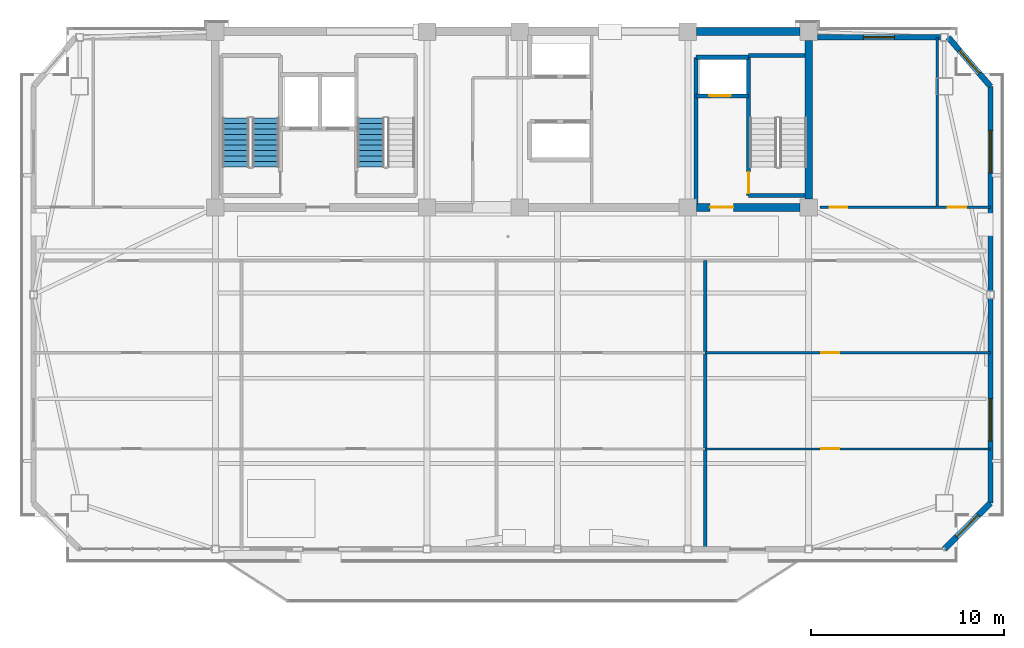
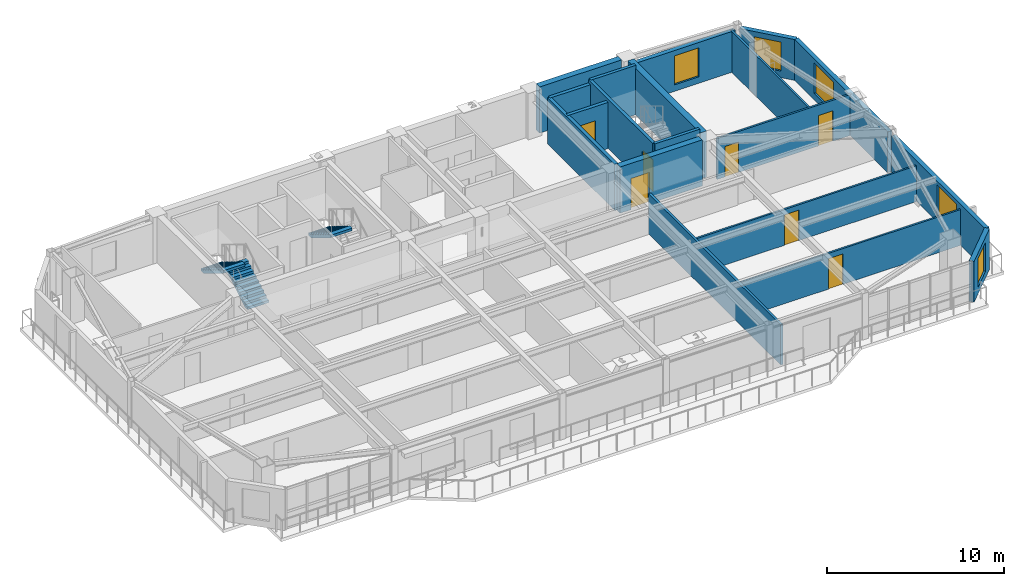
# One storey, part 8 of 13: 19 walls, 7 doors, 5 windows, 3 stair flights, 12 openings, 2 elements without a shape of their own.
"""IFC4 building model written with IfcOpenShell, lengths in metres."""

import ifcopenshell
import ifcopenshell.guid

model = None  # the IFC model being written
_history = None  # IfcOwnerHistory: only IFC2X3 demands one
_inside = {}  # id of a spatial element -> (the spatial element, [elements in it])
_under = {}  # id of a project, library or spatial element -> (it, [spatial elements below it])
_declared = {}  # id of a project -> (the project, [libraries it declares])
_typed = {}  # id of a type object -> (the type object, [elements of that type])
_made_of = {}  # id of a material, layer set ... -> (it, [elements and type objects made of it])


def new_model(schema):
    """Start an empty IFC model of exactly this schema.

    Asked for "IFC4X3", IfcOpenShell would pick the latest addendum, in which some entities
    have other attributes; the version numbers below select the first issue.
    IFC2X3 requires an IfcOwnerHistory on every rooted entity: one is made here for all.
    """
    global model, _history
    if schema == "IFC4X3":
        model = ifcopenshell.file(schema_version=(4, 3, 0, 0))
    else:
        model = ifcopenshell.file(schema=schema)
    _inside.clear()
    _under.clear()
    _declared.clear()
    _typed.clear()
    _made_of.clear()
    _history = None
    if model.schema == "IFC2X3":
        org = make("IfcOrganization", Name="unknown")
        user = make(
            "IfcPersonAndOrganization",
            ThePerson=make("IfcPerson", FamilyName="unknown"),
            TheOrganization=org,
        )
        app = make(
            "IfcApplication",
            ApplicationDeveloper=org,
            Version="unknown",
            ApplicationFullName="unknown",
            ApplicationIdentifier="unknown",
        )
        _history = make(
            "IfcOwnerHistory",
            OwningUser=user,
            OwningApplication=app,
            ChangeAction="ADDED",
            CreationDate=0,
        )
    return model


def make(cls, **values):
    """One entity of the class cls with the attributes given. An attribute that is None is left unset."""
    return model.create_entity(
        cls, **{name: value for name, value in values.items() if value is not None}
    )


def rooted(cls, **values):
    """An entity with a GlobalId (a new one), such as an element, a storey or a relation."""
    return make(cls, GlobalId=ifcopenshell.guid.new(), OwnerHistory=_history, **values)


def si_unit(unit_type, name, prefix=None):
    """IfcSIUnit, for example si_unit("LENGTHUNIT", "METRE", prefix="MILLI")."""
    return make("IfcSIUnit", UnitType=unit_type, Prefix=prefix, Name=name)


def assignment(units):
    """IfcUnitAssignment: the units of a project."""
    return None if units is None else make("IfcUnitAssignment", Units=units)


def point(xyz):
    """IfcCartesianPoint."""
    return None if xyz is None else make("IfcCartesianPoint", Coordinates=xyz)


def direction(xyz):
    """IfcDirection."""
    return None if xyz is None else make("IfcDirection", DirectionRatios=xyz)


def frame(location, z_axis=None, x_axis=None):
    """IfcAxis2Placement3D, a coordinate frame: its origin and axes. An axis left out is left unset."""
    return make(
        "IfcAxis2Placement3D",
        Location=point(location),
        Axis=direction(z_axis),
        RefDirection=direction(x_axis),
    )


def frame_2d(location, x_axis=None):
    """IfcAxis2Placement2D, a coordinate frame in the plane: its origin and x axis."""
    return make(
        "IfcAxis2Placement2D", Location=point(location), RefDirection=direction(x_axis)
    )


def origin():
    """The frame at (0, 0, 0) with its axes left unset."""
    return frame((0.0, 0.0, 0.0))


def place(relative_to, where):
    """IfcLocalPlacement: puts the frame where relative to a parent placement (None: the world)."""
    return make(
        "IfcLocalPlacement", PlacementRelTo=relative_to, RelativePlacement=where
    )


def context(
    kind, dimensions, precision=None, world=None, true_north=None, identifier=None
):
    """IfcGeometricRepresentationContext, for example the 3D "Model" context."""
    return make(
        "IfcGeometricRepresentationContext",
        ContextIdentifier=identifier,
        ContextType=kind,
        CoordinateSpaceDimension=dimensions,
        Precision=precision,
        WorldCoordinateSystem=world,
        TrueNorth=true_north,
    )


def subcontext(parent, identifier, kind, view, scale=None):
    """IfcGeometricRepresentationSubContext, for example "Body" below "Model"."""
    return make(
        "IfcGeometricRepresentationSubContext",
        ContextIdentifier=identifier,
        ContextType=kind,
        ParentContext=parent,
        TargetScale=scale,
        TargetView=view,
    )


def project(units=None, contexts=None):
    """IfcProject with its units and contexts."""
    return rooted(
        "IfcProject",
        Name="project",
        RepresentationContexts=contexts,
        UnitsInContext=assignment(units),
    )


def spatial(cls, under=None, at=None, **own):
    """A site, building, storey or space (cls), placed at a placement, below another one or the project."""
    s = rooted(cls, ObjectPlacement=at, **own)
    if under is not None:
        _under.setdefault(under.id(), (under, []))[1].append(s)
    return s


def polyline(points):
    """IfcPolyline through the points."""
    return make("IfcPolyline", Points=[point(p) for p in points])


def profile(cls, at=None, kind="AREA", **sizes):
    """A parametric profile (cls). Its sizes go by their IFC names, for example OverallWidth=200.0."""
    return make(cls, ProfileType=kind, Position=at, **sizes)


def rectangle(**sizes):
    """IfcRectangleProfileDef."""
    return profile("IfcRectangleProfileDef", **sizes)


def outline(outer, holes=None, kind="AREA"):
    """IfcArbitraryClosedProfileDef: a profile drawn as a closed curve; with holes, ...WithVoids."""
    if holes is None:
        return make("IfcArbitraryClosedProfileDef", ProfileType=kind, OuterCurve=outer)
    return make(
        "IfcArbitraryProfileDefWithVoids",
        ProfileType=kind,
        OuterCurve=outer,
        InnerCurves=holes,
    )


def extrude(swept, where, along, depth):
    """IfcExtrudedAreaSolid: the profile swept, set in the frame where, extruded along a direction by depth."""
    return make(
        "IfcExtrudedAreaSolid",
        SweptArea=swept,
        Position=where,
        ExtrudedDirection=direction(along),
        Depth=depth,
    )


def shape(context_of_items, identifier, shape_type, items):
    """IfcShapeRepresentation: the items that make up one representation, for example the "Body"."""
    return make(
        "IfcShapeRepresentation",
        ContextOfItems=context_of_items,
        RepresentationIdentifier=identifier,
        RepresentationType=shape_type,
        Items=items,
    )


def source(mapping_origin, context_of_items, identifier, shape_type, items):
    """IfcRepresentationMap: a shape defined once, which mapped items show again and again."""
    return make(
        "IfcRepresentationMap",
        MappingOrigin=mapping_origin,
        MappedRepresentation=shape(context_of_items, identifier, shape_type, items),
    )


def transform(
    local_origin,
    x_axis=None,
    y_axis=None,
    z_axis=None,
    scale=None,
    scale2=None,
    scale3=None,
    uniform=True,
):
    """IfcCartesianTransformationOperator3D, or its non-uniform kind. x_axis, y_axis, z_axis: its Axis1, 2, 3."""
    if uniform:
        return make(
            "IfcCartesianTransformationOperator3D",
            Axis1=direction(x_axis),
            Axis2=direction(y_axis),
            LocalOrigin=point(local_origin),
            Scale=scale,
            Axis3=direction(z_axis),
        )
    return make(
        "IfcCartesianTransformationOperator3DnonUniform",
        Axis1=direction(x_axis),
        Axis2=direction(y_axis),
        LocalOrigin=point(local_origin),
        Scale=scale,
        Axis3=direction(z_axis),
        Scale2=scale2,
        Scale3=scale3,
    )


def mapped(mapping_source, mapping_target):
    """IfcMappedItem: shows the shape of a source again, moved by a transform."""
    return make(
        "IfcMappedItem", MappingSource=mapping_source, MappingTarget=mapping_target
    )


def material(Name=None, Category=None):
    """IfcMaterial."""
    return make("IfcMaterial", Name=Name, Category=Category)


def layer(
    of_material, thickness, ventilated=None, Name=None, Category=None, Priority=None
):
    """IfcMaterialLayer: one layer of a wall or slab, of a material (None: an air gap)."""
    return make(
        "IfcMaterialLayer",
        Material=of_material,
        LayerThickness=thickness,
        IsVentilated=ventilated,
        Name=Name,
        Category=Category,
        Priority=Priority,
    )


def layer_set(layers, Name=None):
    """IfcMaterialLayerSet."""
    return make("IfcMaterialLayerSet", MaterialLayers=layers, LayerSetName=Name)


def made_of(thing, what):
    """Note that an element or type object is made of a material, layer set ...; save() writes the relation."""
    if what is not None:
        _made_of.setdefault(what.id(), (what, []))[1].append(thing)
    return thing


def type_object(cls, material=None, **own):
    """A type object (cls), such as IfcWallType, which elements share."""
    return made_of(rooted(cls, **own), material)


def element(
    cls,
    number,
    at=None,
    inside=None,
    cuts=None,
    type_object=None,
    material=None,
    context=None,
    identifier="Body",
    shape_type=None,
    held_by="IfcProductDefinitionShape",
    body=None,
    shapes=None,
    **own,
):
    """One element of the class cls, such as IfcWall. Its Tag is "e" and its number.

    at: its placement. inside: the storey or other place that contains it. cuts: it is an
    opening in that element (IfcRelVoidsElement). A single representation is given by context,
    identifier, shape_type and body (its items); several are given by shapes. held_by: the class
    of the entity that holds the representations. save() writes the other relations.
    """
    e = rooted(cls, Tag="e%d" % number, ObjectPlacement=at, **own)
    if body is not None:
        shapes = [shape(context, identifier, shape_type, body)]
    if shapes is not None:
        e.Representation = make(held_by, Representations=shapes)
    if inside is not None:
        _inside.setdefault(inside.id(), (inside, []))[1].append(e)
    if cuts is not None:
        rooted(
            "IfcRelVoidsElement", RelatingBuildingElement=cuts, RelatedOpeningElement=e
        )
    if type_object is not None:
        _typed.setdefault(type_object.id(), (type_object, []))[1].append(e)
    return made_of(e, material)


def fill(opening, filler):
    """IfcRelFillsElement: the door or window that sits in an opening."""
    return rooted(
        "IfcRelFillsElement",
        RelatingOpeningElement=opening,
        RelatedBuildingElement=filler,
    )


def aggregate(whole, parts):
    """IfcRelAggregates: a whole, such as a stair, and the parts it consists of."""
    return rooted("IfcRelAggregates", RelatingObject=whole, RelatedObjects=parts)


def save(model, path):
    """Write the relations noted so far, then the file.

    IfcRelAggregates (storeys below a building ...), IfcRelContainedInSpatialStructure (elements
    in a storey), IfcRelDefinesByType, IfcRelAssociatesMaterial and IfcRelDeclares: one each for
    every whole, place, type object, material and project.
    """
    for whole, parts in _under.values():
        aggregate(whole, parts)
    for where, things in _inside.values():
        rooted(
            "IfcRelContainedInSpatialStructure",
            RelatedElements=things,
            RelatingStructure=where,
        )
    for kind, things in _typed.values():
        rooted("IfcRelDefinesByType", RelatedObjects=things, RelatingType=kind)
    for what, things in _made_of.values():
        rooted("IfcRelAssociatesMaterial", RelatedObjects=things, RelatingMaterial=what)
    for by, libraries in _declared.values():
        rooted("IfcRelDeclares", RelatingContext=by, RelatedDefinitions=libraries)
    model.write(path)


model = new_model("IFC4")

# Units and contexts
model_context = context("Model", 3, precision=1e-05, world=origin(), true_north=direction((0.0, 1.0)))
body_context = subcontext(model_context, "Body", "Model", "MODEL_VIEW")
ifc_project = project(units=[si_unit("LENGTHUNIT", "METRE"), si_unit("AREAUNIT", "SQUARE_METRE"), si_unit("VOLUMEUNIT", "CUBIC_METRE"), si_unit("PLANEANGLEUNIT", "RADIAN"), si_unit("MASSUNIT", "GRAM", prefix="KILO")], contexts=[model_context])

# Site, building, storey
site_placement = place(None, origin())
site = spatial("IfcSite", under=ifc_project, at=site_placement, CompositionType="ELEMENT")
building_placement = place(site_placement, origin())
building = spatial("IfcBuilding", under=site, at=building_placement, Name="Giltprow Tower", CompositionType="ELEMENT")
storey_placement = place(building_placement, frame((0.0, 0.0, 307.39990234375)))
storey = spatial("IfcBuildingStorey", under=building, at=storey_placement, Name="L79", CompositionType="ELEMENT", Elevation=307.39990234375)

# Wall, opening, window
ifc_material_1 = material(Name="Precast concrete C40", Category="concrete")
ifc_layer_1 = layer(ifc_material_1, 0.300048828125, Name="Precast concrete C40")
ifc_layer_set_1 = layer_set([ifc_layer_1], Name="Precast concrete C40")
wall_type_1 = type_object("IfcWallType", Name="EW-NOTCH-CHAMFER-300", PredefinedType="SOLIDWALL", material=ifc_layer_set_1)
wall_1_placement = place(storey_placement, frame((57.574951171875, 19.77197265625, 0.0), z_axis=(0.0, 0.0, 1.0), x_axis=(0.707106781187, 0.707106781187, 0.0)))
wall_1 = element("IfcWall", 1, at=wall_1_placement, inside=storey, type_object=wall_type_1, Name="L79 Corner Notch Wall SE", PredefinedType="SOLIDWALL", context=body_context, shape_type="SweptSolid", body=[
    extrude(rectangle(XDim=3.372802734375, YDim=0.300048828125, at=frame_2d((1.6865234375, 0.0))), origin(), (0.0, 0.0, 1.0), 2.815185546875),
])
opening_1_placement = place(wall_1_placement, frame((0.885986328125, 0.0, 0.449951171875)))
opening_1 = element("IfcOpeningElement", 2, at=opening_1_placement, cuts=wall_1, Name="Opening WN17", PredefinedType="OPENING", context=body_context, shape_type="SweptSolid", body=[
    extrude(rectangle(XDim=1.60009765625, YDim=2.0, at=frame_2d((0.800048828125, 1.0))), frame((0.0, 0.159912109375, 0.0), z_axis=(0.0, -1.0, 0.0), x_axis=(1.0, 0.0, 0.0)), (0.0, 0.0, 1.0), 0.320068359375),
])
ifc_material_2 = material(Name="Insulated glass", Category="glass")
window_type_1 = type_object("IfcWindowType", Name="WN-COR-1600x2000", PartitioningType="SINGLE_PANEL", PredefinedType="WINDOW", material=ifc_material_2)
shared_shape_1 = source(origin(), body_context, "Body", "SweptSolid", [
    extrude(rectangle(XDim=1.60009765625, YDim=2.0, at=frame_2d((0.800048828125, 1.0))), frame((0.0, 0.030029296875, 0.0), z_axis=(0.0, -1.0, 0.0), x_axis=(1.0, 0.0, 0.0)), (0.0, 0.0, 1.0), 0.06005859375),
])
window_1_placement = place(opening_1_placement, origin())
window_1 = element("IfcWindow", 3, at=window_1_placement, inside=storey, type_object=window_type_1, Name="L79 Corner Notch Window SE", OverallHeight=2.0, OverallWidth=1.60009765625, PartitioningType="SINGLE_PANEL", PredefinedType="WINDOW", context=body_context, shape_type="MappedRepresentation", body=[
    mapped(shared_shape_1, transform((0.0, 0.0, 0.0), x_axis=(1.0, 0.0, 0.0), y_axis=(0.0, 1.0, 0.0), z_axis=(0.0, 0.0, 1.0), scale=1.0)),
])
fill(opening_1, window_1)

wall_2_placement = place(storey_placement, frame((59.9599609375, 43.715087890625, 0.0), z_axis=(0.0, 0.0, 1.0), x_axis=(-0.652903544361, 0.757441061576, 0.0)))
wall_2 = element("IfcWall", 4, at=wall_2_placement, inside=storey, type_object=wall_type_1, Name="L79 Corner Notch Wall NE", PredefinedType="SOLIDWALL", context=body_context, shape_type="SweptSolid", body=[
    extrude(rectangle(XDim=3.3466796875, YDim=0.300048828125, at=frame_2d((1.67333984375, 0.0))), origin(), (0.0, 0.0, 1.0), 2.815185546875),
])
opening_2_placement = place(wall_2_placement, frame((0.873046875, 0.0, 0.449951171875)))
opening_2 = element("IfcOpeningElement", 5, at=opening_2_placement, cuts=wall_2, Name="Opening WN17", PredefinedType="OPENING", context=body_context, shape_type="SweptSolid", body=[
    extrude(rectangle(XDim=1.60009765625, YDim=2.0, at=frame_2d((0.800048828125, 1.0))), frame((0.0, 0.159912109375, 0.0), z_axis=(0.0, -1.0, 0.0), x_axis=(1.0, 0.0, 0.0)), (0.0, 0.0, 1.0), 0.320068359375),
])
window_2_placement = place(opening_2_placement, origin())
window_2 = element("IfcWindow", 6, at=window_2_placement, inside=storey, type_object=window_type_1, Name="L79 Corner Notch Window NE", OverallHeight=2.0, OverallWidth=1.60009765625, PartitioningType="SINGLE_PANEL", PredefinedType="WINDOW", context=body_context, shape_type="MappedRepresentation", body=[
    mapped(shared_shape_1, transform((0.0, 0.0, 0.0), x_axis=(1.0, 0.0, 0.0), y_axis=(0.0, 1.0, 0.0), z_axis=(0.0, 0.0, 1.0), scale=1.0)),
])
fill(opening_2, window_2)

ifc_layer_2 = layer(ifc_material_1, 0.280029296875, Name="Precast concrete C40")
ifc_layer_set_2 = layer_set([ifc_layer_2], Name="Precast concrete C40")
wall_type_2 = type_object("IfcWallType", Name="EW-TOW-BRONZE-280", PredefinedType="SOLIDWALL", material=ifc_layer_set_2)
wall_3_placement = place(storey_placement, frame((59.9599609375, 22.156982421875, 0.0), z_axis=(0.0, 0.0, 1.0), x_axis=(0.0, 1.0, 0.0)))
wall_3 = element("IfcWall", 7, at=wall_3_placement, inside=storey, type_object=wall_type_2, Name="L79 E Wing Masonry Wall 1", PredefinedType="SOLIDWALL", context=body_context, shape_type="SweptSolid", body=[
    extrude(rectangle(XDim=10.5791015625, YDim=0.280029296875, at=frame_2d((5.28955078125, 0.0))), origin(), (0.0, 0.0, 1.0), 2.815185546875),
])
opening_3_placement = place(wall_3_placement, frame((3.195068359375, 0.0, 0.449951171875)))
opening_3 = element("IfcOpeningElement", 8, at=opening_3_placement, cuts=wall_3, Name="Opening WN27", PredefinedType="OPENING", context=body_context, shape_type="SweptSolid", body=[
    extrude(rectangle(XDim=2.199951171875, YDim=2.10009765625, at=frame_2d((1.10009765625, 1.050048828125))), frame((0.0, 0.14990234375, 0.0), z_axis=(0.0, -1.0, 0.0), x_axis=(1.0, 0.0, 0.0)), (0.0, 0.0, 1.0), 0.300048828125),
])
window_type_2 = type_object("IfcWindowType", Name="WN-RES-2200x2100", PartitioningType="TRIPLE_PANEL_VERTICAL", PredefinedType="WINDOW", material=ifc_material_2)
shared_shape_2 = source(origin(), body_context, "Body", "SweptSolid", [
    extrude(rectangle(XDim=2.199951171875, YDim=2.10009765625, at=frame_2d((1.10009765625, 1.050048828125))), frame((0.0, 0.030029296875, 0.0), z_axis=(0.0, -1.0, 0.0), x_axis=(1.0, 0.0, 0.0)), (0.0, 0.0, 1.0), 0.06005859375),
])
window_3_placement = place(opening_3_placement, origin())
window_3 = element("IfcWindow", 9, at=window_3_placement, inside=storey, type_object=window_type_2, Name="L79 E Wing Window 1-1", OverallHeight=2.10009765625, OverallWidth=2.199951171875, PartitioningType="SINGLE_PANEL", PredefinedType="WINDOW", context=body_context, shape_type="MappedRepresentation", body=[
    mapped(shared_shape_2, transform((0.0, 0.0, 0.0), x_axis=(1.0, 0.0, 0.0), y_axis=(0.0, 1.0, 0.0), z_axis=(0.0, 0.0, 1.0), scale=1.0)),
])
fill(opening_3, window_3)

wall_4_placement = place(storey_placement, frame((59.9599609375, 33.135986328125, 0.0), z_axis=(0.0, 0.0, 1.0), x_axis=(0.0, 1.0, 0.0)))
wall_4 = element("IfcWall", 10, at=wall_4_placement, inside=storey, type_object=wall_type_2, Name="L79 E Wing Masonry Wall 2", PredefinedType="SOLIDWALL", context=body_context, shape_type="SweptSolid", body=[
    extrude(rectangle(XDim=10.5791015625, YDim=0.280029296875, at=frame_2d((5.28955078125, 0.0))), origin(), (0.0, 0.0, 1.0), 2.815185546875),
])
opening_4_placement = place(wall_4_placement, frame((6.10205078125, 0.0, 0.449951171875)))
opening_4 = element("IfcOpeningElement", 11, at=opening_4_placement, cuts=wall_4, Name="Opening WN27", PredefinedType="OPENING", context=body_context, shape_type="SweptSolid", body=[
    extrude(rectangle(XDim=2.199951171875, YDim=2.10009765625, at=frame_2d((1.10009765625, 1.050048828125))), frame((0.0, 0.14990234375, 0.0), z_axis=(0.0, -1.0, 0.0), x_axis=(1.0, 0.0, 0.0)), (0.0, 0.0, 1.0), 0.300048828125),
])
window_4_placement = place(opening_4_placement, origin())
window_4 = element("IfcWindow", 12, at=window_4_placement, inside=storey, type_object=window_type_2, Name="L79 E Wing Window 2-1", OverallHeight=2.10009765625, OverallWidth=2.199951171875, PartitioningType="SINGLE_PANEL", PredefinedType="WINDOW", context=body_context, shape_type="MappedRepresentation", body=[
    mapped(shared_shape_2, transform((0.0, 0.0, 0.0), x_axis=(1.0, 0.0, 0.0), y_axis=(0.0, 1.0, 0.0), z_axis=(0.0, 0.0, 1.0), scale=1.0)),
])
fill(opening_4, window_4)

wall_5_placement = place(storey_placement, frame((51.0, 46.25, 0.0), z_axis=(0.0, 0.0, 1.0), x_axis=(1.0, 0.0, 0.0)))
wall_5 = element("IfcWall", 13, at=wall_5_placement, inside=storey, type_object=wall_type_2, Name="L79 North-East Wing Wall", PredefinedType="SOLIDWALL", context=body_context, shape_type="SweptSolid", body=[
    extrude(rectangle(XDim=6.375, YDim=0.280029296875, at=frame_2d((3.1875, 0.0))), origin(), (0.0, 0.0, 1.0), 2.815185546875),
])
opening_5_placement = place(wall_5_placement, frame((2.387939453125, 0.0, 0.449951171875)))
opening_5 = element("IfcOpeningElement", 14, at=opening_5_placement, cuts=wall_5, Name="Opening WN17", PredefinedType="OPENING", context=body_context, shape_type="SweptSolid", body=[
    extrude(rectangle(XDim=1.60009765625, YDim=2.0, at=frame_2d((0.800048828125, 1.0))), frame((0.0, 0.14990234375, 0.0), z_axis=(0.0, -1.0, 0.0), x_axis=(1.0, 0.0, 0.0)), (0.0, 0.0, 1.0), 0.300048828125),
])
window_5_placement = place(opening_5_placement, origin())
window_5 = element("IfcWindow", 15, at=window_5_placement, inside=storey, type_object=window_type_1, Name="L79 North-East Window", OverallHeight=2.0, OverallWidth=1.60009765625, PartitioningType="SINGLE_PANEL", PredefinedType="WINDOW", context=body_context, shape_type="MappedRepresentation", body=[
    mapped(shared_shape_1, transform((0.0, 0.0, 0.0), x_axis=(1.0, 0.0, 0.0), y_axis=(0.0, 1.0, 0.0), z_axis=(0.0, 0.0, 1.0), scale=1.0)),
])
fill(opening_5, window_5)

# Wall
ifc_material_3 = material(Name="Gypsum stud partition", Category="gypsum")
ifc_layer_3 = layer(ifc_material_3, 0.159912109375, Name="Gypsum stud partition")
ifc_layer_set_3 = layer_set([ifc_layer_3], Name="Gypsum stud partition")
wall_type_3 = type_object("IfcWallType", Name="IW-DEMISE-160", PredefinedType="PARTITIONING", material=ifc_layer_set_3)
wall_6_placement = place(storey_placement, frame((45.199951171875, 19.77197265625, 0.0), z_axis=(0.0, 0.0, 1.0), x_axis=(0.0, 1.0, 0.0)))
element("IfcWall", 16, at=wall_6_placement, inside=storey, type_object=wall_type_3, Name="L79 Apartment Party Wall 3", PredefinedType="PARTITIONING", context=body_context, shape_type="SweptSolid", body=[
    extrude(rectangle(XDim=14.927978515625, YDim=0.159912109375, at=frame_2d((7.4638671875, 0.0))), origin(), (0.0, 0.0, 1.0), 2.77001953125),
])

# Wall, opening, door
ifc_layer_4 = layer(ifc_material_3, 0.1201171875, Name="Gypsum stud partition")
ifc_layer_set_4 = layer_set([ifc_layer_4], Name="Gypsum stud partition")
wall_type_4 = type_object("IfcWallType", Name="IW-ROOM-120", PredefinedType="PARTITIONING", material=ifc_layer_set_4)
wall_7_placement = place(storey_placement, frame((45.199951171875, 24.951904296875, 0.0), z_axis=(0.0, 0.0, 1.0), x_axis=(1.0, 0.0, 0.0)))
wall_7 = element("IfcWall", 17, at=wall_7_placement, inside=storey, type_object=wall_type_4, Name="L79 Special Split 1", PredefinedType="PARTITIONING", context=body_context, shape_type="SweptSolid", body=[
    extrude(rectangle(XDim=14.760009765625, YDim=0.1201171875, at=frame_2d((7.3798828125, 0.0))), origin(), (0.0, 0.0, 1.0), 2.47021484375),
])
opening_6_placement = place(wall_7_placement, frame((5.989990234375, 0.0, 0.0)))
opening_6 = element("IfcOpeningElement", 18, at=opening_6_placement, cuts=wall_7, Name="Opening ID11", PredefinedType="OPENING", context=body_context, shape_type="SweptSolid", body=[
    extrude(rectangle(XDim=0.949951171875, YDim=2.10009765625, at=frame_2d((0.47509765625, 1.050048828125))), frame((0.0, 0.070068359375, 0.0), z_axis=(0.0, -1.0, 0.0), x_axis=(1.0, 0.0, 0.0)), (0.0, 0.0, 1.0), 0.14013671875),
])
ifc_material_4 = material(Name="Engineered timber", Category="wood")
door_type_1 = type_object("IfcDoorType", Name="DR-ROOM-950", OperationType="SINGLE_SWING_RIGHT", PredefinedType="DOOR", material=ifc_material_4)
shared_shape_3 = source(origin(), body_context, "Body", "SweptSolid", [
    extrude(rectangle(XDim=0.949951171875, YDim=2.10009765625, at=frame_2d((0.47509765625, 1.050048828125))), frame((0.0, 0.02490234375, 0.0), z_axis=(0.0, -1.0, 0.0), x_axis=(1.0, 0.0, 0.0)), (0.0, 0.0, 1.0), 0.050048828125),
])
door_1_placement = place(opening_6_placement, origin())
door_1 = element("IfcDoor", 19, at=door_1_placement, inside=storey, type_object=door_type_1, Name="L79 Boutique Florist Shop South Door", OperationType="SINGLE_SWING_LEFT", OverallHeight=2.10009765625, OverallWidth=0.949951171875, PredefinedType="DOOR", context=body_context, shape_type="MappedRepresentation", body=[
    mapped(shared_shape_3, transform((0.0, 0.0, 0.0), x_axis=(1.0, 0.0, 0.0), y_axis=(0.0, 1.0, 0.0), z_axis=(0.0, 0.0, 1.0), scale=1.0)),
])
fill(opening_6, door_1)

wall_8_placement = place(storey_placement, frame((45.199951171875, 29.93310546875, 0.0), z_axis=(0.0, 0.0, 1.0), x_axis=(1.0, 0.0, 0.0)))
wall_8 = element("IfcWall", 20, at=wall_8_placement, inside=storey, type_object=wall_type_4, Name="L79 Special Split 2", PredefinedType="PARTITIONING", context=body_context, shape_type="SweptSolid", body=[
    extrude(rectangle(XDim=14.760009765625, YDim=0.1201171875, at=frame_2d((7.3798828125, 0.0))), origin(), (0.0, 0.0, 1.0), 2.47021484375),
])
opening_7_placement = place(wall_8_placement, frame((5.989990234375, 0.0, 0.0)))
opening_7 = element("IfcOpeningElement", 21, at=opening_7_placement, cuts=wall_8, Name="Opening ID11", PredefinedType="OPENING", context=body_context, shape_type="SweptSolid", body=[
    extrude(rectangle(XDim=0.949951171875, YDim=2.10009765625, at=frame_2d((0.47509765625, 1.050048828125))), frame((0.0, 0.070068359375, 0.0), z_axis=(0.0, -1.0, 0.0), x_axis=(1.0, 0.0, 0.0)), (0.0, 0.0, 1.0), 0.14013671875),
])
door_2_placement = place(opening_7_placement, origin())
door_2 = element("IfcDoor", 22, at=door_2_placement, inside=storey, type_object=door_type_1, Name="L79 Boutique Florist Shop Mid Door", OperationType="SINGLE_SWING_RIGHT", OverallHeight=2.10009765625, OverallWidth=0.949951171875, PredefinedType="DOOR", context=body_context, shape_type="MappedRepresentation", body=[
    mapped(shared_shape_3, transform((0.0, 0.0, 0.0), x_axis=(1.0, 0.0, 0.0), y_axis=(0.0, 1.0, 0.0), z_axis=(0.0, 0.0, 1.0), scale=1.0)),
])
fill(opening_7, door_2)

ifc_material_5 = material(Name="Concrete C40", Category="concrete")
ifc_layer_5 = layer(ifc_material_5, 0.219970703125, Name="Concrete C40")
ifc_layer_set_5 = layer_set([ifc_layer_5], Name="Concrete C40")
wall_type_5 = type_object("IfcWallType", Name="IW-SHAFT-220", PredefinedType="SOLIDWALL", material=ifc_layer_set_5)
wall_9_placement = place(storey_placement, frame((44.719970703125, 43.219970703125, 0.0), z_axis=(0.0, 0.0, 1.0), x_axis=(1.0, 0.0, 0.0)))
wall_9 = element("IfcWall", 23, at=wall_9_placement, inside=storey, type_object=wall_type_5, Name="L79 FFL2 Front Shaft Wall", PredefinedType="SOLIDWALL", context=body_context, shape_type="SweptSolid", body=[
    extrude(rectangle(XDim=2.719970703125, YDim=0.219970703125, at=frame_2d((1.35986328125, 0.0))), origin(), (0.0, 0.0, 1.0), 3.18505859375),
])
opening_8_placement = place(wall_9_placement, frame((0.699951171875, 0.0, 0.0)))
opening_8 = element("IfcOpeningElement", 24, at=opening_8_placement, cuts=wall_9, Name="Opening LD-11", PredefinedType="OPENING", context=body_context, shape_type="SweptSolid", body=[
    extrude(rectangle(XDim=1.10009765625, YDim=2.199951171875, at=frame_2d((0.550048828125, 1.10009765625))), frame((0.0, 0.119873046875, 0.0), z_axis=(0.0, -1.0, 0.0), x_axis=(1.0, 0.0, 0.0)), (0.0, 0.0, 1.0), 0.239990234375),
])
ifc_material_6 = material(Name="Stainless steel", Category="steel")
door_type_2 = type_object("IfcDoorType", Name="DR-LIFT-LD1100", OperationType="SLIDING_TO_LEFT", PredefinedType="DOOR", material=ifc_material_6)
shared_shape_4 = source(origin(), body_context, "Body", "SweptSolid", [
    extrude(rectangle(XDim=1.10009765625, YDim=2.199951171875, at=frame_2d((0.550048828125, 1.10009765625))), frame((0.0, 0.02490234375, 0.0), z_axis=(0.0, -1.0, 0.0), x_axis=(1.0, 0.0, 0.0)), (0.0, 0.0, 1.0), 0.050048828125),
])
door_3_placement = place(opening_8_placement, origin())
door_3 = element("IfcDoor", 25, at=door_3_placement, inside=storey, type_object=door_type_2, Name="L79 FFL2 Landing Door", OperationType="SLIDING_TO_LEFT", OverallHeight=2.199951171875, OverallWidth=1.10009765625, PredefinedType="DOOR", context=body_context, shape_type="MappedRepresentation", body=[
    mapped(shared_shape_4, transform((0.0, 0.0, 0.0), x_axis=(1.0, 0.0, 0.0), y_axis=(0.0, 1.0, 0.0), z_axis=(0.0, 0.0, 1.0), scale=1.0)),
])
fill(opening_8, door_3)

# Walls
wall_10_placement = place(storey_placement, frame((44.719970703125, 45.219970703125, 0.0), z_axis=(0.0, 0.0, 1.0), x_axis=(1.0, 0.0, 0.0)))
element("IfcWall", 26, at=wall_10_placement, inside=storey, type_object=wall_type_5, Name="L79 FFL2 Back Shaft Wall", PredefinedType="SOLIDWALL", context=body_context, shape_type="SweptSolid", body=[
    extrude(rectangle(XDim=2.719970703125, YDim=0.219970703125, at=frame_2d((1.35986328125, 0.0))), origin(), (0.0, 0.0, 1.0), 3.18505859375),
])
wall_11_placement = place(storey_placement, frame((44.719970703125, 37.6298828125, 0.0), z_axis=(0.0, 0.0, 1.0), x_axis=(0.0, 1.0, 0.0)))
element("IfcWall", 27, at=wall_11_placement, inside=storey, type_object=wall_type_5, Name="L79 East Firefighting Lobby West Wall", PredefinedType="SOLIDWALL", context=body_context, shape_type="SweptSolid", body=[
    extrude(rectangle(XDim=7.590087890625, YDim=0.219970703125, at=frame_2d((3.794921875, 0.0))), origin(), (0.0, 0.0, 1.0), 3.18505859375),
])

# Wall, opening, door
ifc_layer_6 = layer(ifc_material_5, 0.199951171875, Name="Concrete C40")
ifc_layer_set_6 = layer_set([ifc_layer_6], Name="Concrete C40")
wall_type_6 = type_object("IfcWallType", Name="IW-STAIR-200", PredefinedType="SOLIDWALL", material=ifc_layer_set_6)
wall_12_placement = place(storey_placement, frame((47.43994140625, 38.070068359375, 0.0), z_axis=(0.0, 0.0, 1.0), x_axis=(0.0, 1.0, 0.0)))
wall_12 = element("IfcWall", 28, at=wall_12_placement, inside=storey, type_object=wall_type_6, Name="L79 Stair ST-3 West Bearing Wall", PredefinedType="SOLIDWALL", context=body_context, shape_type="SweptSolid", body=[
    extrude(rectangle(XDim=7.25, YDim=0.199951171875, at=frame_2d((3.625, 0.0))), origin(), (0.0, 0.0, 1.0), 3.400146484375),
])
opening_9_placement = place(wall_12_placement, frame((0.110107421875, 0.0, 0.0)))
opening_9 = element("IfcOpeningElement", 29, at=opening_9_placement, cuts=wall_12, Name="Opening ID33", PredefinedType="OPENING", context=body_context, shape_type="SweptSolid", body=[
    extrude(rectangle(XDim=1.10009765625, YDim=2.14990234375, at=frame_2d((0.550048828125, 1.074951171875))), frame((0.0, 0.10986328125, 0.0), z_axis=(0.0, -1.0, 0.0), x_axis=(1.0, 0.0, 0.0)), (0.0, 0.0, 1.0), 0.219970703125),
])
ifc_material_7 = material(Name="Steel fire leaf", Category="steel")
door_type_3 = type_object("IfcDoorType", Name="DR-STAIR-1100", OperationType="SINGLE_SWING_LEFT", PredefinedType="DOOR", material=ifc_material_7)
shared_shape_5 = source(origin(), body_context, "Body", "SweptSolid", [
    extrude(rectangle(XDim=1.10009765625, YDim=2.14990234375, at=frame_2d((0.550048828125, 1.074951171875))), frame((0.0, 0.02490234375, 0.0), z_axis=(0.0, -1.0, 0.0), x_axis=(1.0, 0.0, 0.0)), (0.0, 0.0, 1.0), 0.050048828125),
])
door_4_placement = place(opening_9_placement, origin())
door_4 = element("IfcDoor", 30, at=door_4_placement, inside=storey, type_object=door_type_3, Name="L79 Stair ST-3 Fire Door", OperationType="SINGLE_SWING_LEFT", OverallHeight=2.14990234375, OverallWidth=1.10009765625, PredefinedType="DOOR", context=body_context, shape_type="MappedRepresentation", body=[
    mapped(shared_shape_5, transform((0.0, 0.0, 0.0), x_axis=(1.0, 0.0, 0.0), y_axis=(0.0, 1.0, 0.0), z_axis=(0.0, 0.0, 1.0), scale=1.0)),
])
fill(opening_9, door_4)

# Walls
for number, where, z_axis, x_axis, name in (
    (31, (47.43994140625, 45.320068359375, 0.0), (0.0, 0.0, 1.0), (1.0, 0.0, 0.0), "L79 Stair ST-3 North Bearing Wall"),
    (32, (47.43994140625, 38.070068359375, 0.0), (0.0, 0.0, 1.0), (1.0, 0.0, 0.0), "L79 Stair ST-3 South Bearing Wall"),
):
    element("IfcWall", number, at=place(storey_placement, frame(where, z_axis=z_axis, x_axis=x_axis)), inside=storey, type_object=wall_type_6, Name=name, PredefinedType="SOLIDWALL", context=body_context, shape_type="SweptSolid", body=[
        extrude(rectangle(XDim=2.93017578125, YDim=0.199951171875, at=frame_2d((1.465087890625, 0.0))), origin(), (0.0, 0.0, 1.0), 3.400146484375),
    ])

# Wall, openings, doors
ifc_material_8 = material(Name="Concrete C30", Category="concrete")
ifc_layer_7 = layer(ifc_material_8, 0.1298828125, Name="Concrete C30")
ifc_layer_set_7 = layer_set([ifc_layer_7], Name="Concrete C30")
wall_type_7 = type_object("IfcWallType", Name="IW-WET-130", PredefinedType="PARTITIONING", material=ifc_layer_set_7)
wall_13_placement = place(storey_placement, frame((51.14990234375, 37.449951171875, 0.0), z_axis=(0.0, 0.0, 1.0), x_axis=(1.0, 0.0, 0.0)))
wall_13 = element("IfcWall", 33, at=wall_13_placement, inside=storey, type_object=wall_type_7, Name="L79 NE Wing South Wall", PredefinedType="PARTITIONING", context=body_context, shape_type="SweptSolid", body=[
    extrude(rectangle(XDim=8.81005859375, YDim=0.1298828125, at=frame_2d((4.405029296875, 0.0))), origin(), (0.0, 0.0, 1.0), 2.820068359375),
])
opening_10_placement = place(wall_13_placement, frame((0.5, 0.0, 0.0)))
opening_10 = element("IfcOpeningElement", 34, at=opening_10_placement, cuts=wall_13, Name="Opening ID15", PredefinedType="OPENING", context=body_context, shape_type="SweptSolid", body=[
    extrude(rectangle(XDim=0.89990234375, YDim=2.10009765625, at=frame_2d((0.449951171875, 1.050048828125))), frame((0.0, 0.074951171875, 0.0), z_axis=(0.0, -1.0, 0.0), x_axis=(1.0, 0.0, 0.0)), (0.0, 0.0, 1.0), 0.14990234375),
])
opening_11_placement = place(wall_13_placement, frame((6.60693359375, 0.0, 0.0)))
opening_11 = element("IfcOpeningElement", 35, at=opening_11_placement, cuts=wall_13, Name="Opening ID11", PredefinedType="OPENING", context=body_context, shape_type="SweptSolid", body=[
    extrude(rectangle(XDim=0.949951171875, YDim=2.10009765625, at=frame_2d((0.47509765625, 1.050048828125))), frame((0.0, 0.074951171875, 0.0), z_axis=(0.0, -1.0, 0.0), x_axis=(1.0, 0.0, 0.0)), (0.0, 0.0, 1.0), 0.14990234375),
])
door_type_4 = type_object("IfcDoorType", Name="DR-WC-900", OperationType="SINGLE_SWING_LEFT", PredefinedType="DOOR", material=ifc_material_4)
shared_shape_6 = source(origin(), body_context, "Body", "SweptSolid", [
    extrude(rectangle(XDim=0.89990234375, YDim=2.10009765625, at=frame_2d((0.449951171875, 1.050048828125))), frame((0.0, 0.02490234375, 0.0), z_axis=(0.0, -1.0, 0.0), x_axis=(1.0, 0.0, 0.0)), (0.0, 0.0, 1.0), 0.050048828125),
])
door_5_placement = place(opening_10_placement, origin())
door_5 = element("IfcDoor", 36, at=door_5_placement, inside=storey, type_object=door_type_4, Name="L79 East Wing Washroom Door", OperationType="SINGLE_SWING_RIGHT", OverallHeight=2.10009765625, OverallWidth=0.89990234375, PredefinedType="DOOR", context=body_context, shape_type="MappedRepresentation", body=[
    mapped(shared_shape_6, transform((0.0, 0.0, 0.0), x_axis=(1.0, 0.0, 0.0), y_axis=(0.0, 1.0, 0.0), z_axis=(0.0, 0.0, 1.0), scale=1.0)),
])
fill(opening_10, door_5)
door_6_placement = place(opening_11_placement, origin())
door_6 = element("IfcDoor", 37, at=door_6_placement, inside=storey, type_object=door_type_1, Name="L79 Residents Reading Lounge Door", OperationType="SINGLE_SWING_LEFT", OverallHeight=2.10009765625, OverallWidth=0.949951171875, PredefinedType="DOOR", context=body_context, shape_type="MappedRepresentation", body=[
    mapped(shared_shape_3, transform((0.0, 0.0, 0.0), x_axis=(1.0, 0.0, 0.0), y_axis=(0.0, 1.0, 0.0), z_axis=(0.0, 0.0, 1.0), scale=1.0)),
])
fill(opening_11, door_6)

# Walls
wall_14_placement = place(storey_placement, frame((57.20703125, 37.449951171875, 0.0), z_axis=(0.0, 0.0, 1.0), x_axis=(0.0, 1.0, 0.0)))
element("IfcWall", 38, at=wall_14_placement, inside=storey, type_object=wall_type_7, Name="L79 NE Wing Divider", PredefinedType="PARTITIONING", context=body_context, shape_type="SweptSolid", body=[
    extrude(rectangle(XDim=8.800048828125, YDim=0.1298828125, at=frame_2d((4.39990234375, 0.0))), origin(), (0.0, 0.0, 1.0), 2.820068359375),
])
ifc_material_9 = material(Name="Concrete C45", Category="concrete")
ifc_layer_8 = layer(ifc_material_9, 0.39990234375, Name="Concrete C45")
ifc_layer_set_8 = layer_set([ifc_layer_8], Name="Concrete C45")
wall_type_8 = type_object("IfcWallType", Name="SW-EXT-400-C45", PredefinedType="SHEAR", material=ifc_layer_set_8)
wall_15_placement = place(storey_placement, frame((44.75, 46.550048828125, 0.0), z_axis=(0.0, 0.0, 1.0), x_axis=(1.0, 0.0, 0.0)))
element("IfcWall", 39, at=wall_15_placement, inside=storey, type_object=wall_type_8, Name="L79 North Rear Core Shear Wall 4", PredefinedType="SHEAR", context=body_context, shape_type="SweptSolid", body=[
    extrude(rectangle(XDim=5.35009765625, YDim=0.39990234375, at=frame_2d((2.675048828125, 0.0))), origin(), (0.0, 0.0, 1.0), 3.18505859375),
])

# Wall, opening, door
ifc_layer_9 = layer(ifc_material_9, 0.39990234375, Name="Concrete C45")
ifc_layer_set_9 = layer_set([ifc_layer_9], Name="Concrete C45")
wall_type_9 = type_object("IfcWallType", Name="SW-INT-400-C45", PredefinedType="SHEAR", material=ifc_layer_set_9)
wall_16_placement = place(storey_placement, frame((44.75, 37.449951171875, 0.0), z_axis=(0.0, 0.0, 1.0), x_axis=(1.0, 0.0, 0.0)))
wall_16 = element("IfcWall", 40, at=wall_16_placement, inside=storey, type_object=wall_type_9, Name="L79 South Rear Core Shear Wall East", PredefinedType="SHEAR", context=body_context, shape_type="SweptSolid", body=[
    extrude(rectangle(XDim=5.35009765625, YDim=0.39990234375, at=frame_2d((2.675048828125, 0.0))), origin(), (0.0, 0.0, 1.0), 3.18505859375),
])
opening_12_placement = place(wall_16_placement, frame((0.699951171875, 0.0, 0.0)))
opening_12 = element("IfcOpeningElement", 41, at=opening_12_placement, cuts=wall_16, Name="Opening ID19", PredefinedType="OPENING", context=body_context, shape_type="SweptSolid", body=[
    extrude(rectangle(XDim=1.199951171875, YDim=2.14990234375, at=frame_2d((0.60009765625, 1.074951171875))), frame((0.0, 0.2099609375, 0.0), z_axis=(0.0, -1.0, 0.0), x_axis=(1.0, 0.0, 0.0)), (0.0, 0.0, 1.0), 0.419921875),
])
door_type_5 = type_object("IfcDoorType", Name="DR-FFLOBBY-1200", OperationType="SINGLE_SWING_RIGHT", PredefinedType="DOOR", material=ifc_material_7)
shared_shape_7 = source(origin(), body_context, "Body", "SweptSolid", [
    extrude(rectangle(XDim=1.199951171875, YDim=2.14990234375, at=frame_2d((0.60009765625, 1.074951171875))), frame((0.0, 0.02490234375, 0.0), z_axis=(0.0, -1.0, 0.0), x_axis=(1.0, 0.0, 0.0)), (0.0, 0.0, 1.0), 0.050048828125),
])
door_7_placement = place(opening_12_placement, origin())
door_7 = element("IfcDoor", 42, at=door_7_placement, inside=storey, type_object=door_type_5, Name="L79 East Firefighting Lobby Entry Door", OperationType="SINGLE_SWING_RIGHT", OverallHeight=2.14990234375, OverallWidth=1.199951171875, PredefinedType="DOOR", context=body_context, shape_type="MappedRepresentation", body=[
    mapped(shared_shape_7, transform((0.0, 0.0, 0.0), x_axis=(1.0, 0.0, 0.0), y_axis=(0.0, 1.0, 0.0), z_axis=(0.0, 0.0, 1.0), scale=1.0)),
])
fill(opening_12, door_7)

# Wall
wall_17_placement = place(storey_placement, frame((50.550048828125, 37.89990234375, 0.0), z_axis=(0.0, 0.0, 1.0), x_axis=(0.0, 1.0, 0.0)))
element("IfcWall", 43, at=wall_17_placement, inside=storey, type_object=wall_type_9, Name="L79 E Rear Core Shear Wall", PredefinedType="SHEAR", context=body_context, shape_type="SweptSolid", body=[
    extrude(rectangle(XDim=8.2001953125, YDim=0.39990234375, at=frame_2d((4.10009765625, 0.0))), origin(), (0.0, 0.0, 1.0), 3.18505859375),
])

# Stair, stair flights
stair_type_1 = type_object("IfcStairType", Name="STR-ST-1", PredefinedType="HALF_TURN_STAIR", material=ifc_material_5)
stair_1_placement = place(storey_placement, origin())
stair_1 = element("IfcStair", 44, at=stair_1_placement, inside=storey, type_object=stair_type_1, Name="L79 Core Exit Stair ST-1", PredefinedType="HALF_TURN_STAIR")
stair_flight_type_1 = type_object("IfcStairFlightType", Name="SFL-ST-1", PredefinedType="STRAIGHT", material=ifc_material_5)
stair_flight_1_placement = place(storey_placement, frame((22.4599609375, 39.550048828125, 0.0), z_axis=(0.0, 0.0, 1.0), x_axis=(0.0, 1.0, 0.0)))
stair_flight_1 = element("IfcStairFlight", 45, at=stair_flight_1_placement, type_object=stair_flight_type_1, Name="ST-1 flight 1", NumberOfRisers=10, NumberOfTreads=9, PredefinedType="STRAIGHT", RiserHeight=0.17, TreadLength=0.28, context=body_context, shape_type="SweptSolid", body=[
    extrude(outline(polyline([(0.0, 0.0), (0.0, 0.169921875), (0.280029296875, 0.169921875), (0.280029296875, 0.340087890625), (0.56005859375, 0.340087890625), (0.56005859375, 0.510009765625), (0.840087890625, 0.510009765625), (0.840087890625, 0.679931640625), (1.1201171875, 0.679931640625), (1.1201171875, 0.85009765625), (1.39990234375, 0.85009765625), (1.39990234375, 1.02001953125), (1.679931640625, 1.02001953125), (1.679931640625, 1.18994140625), (1.9599609375, 1.18994140625), (1.9599609375, 1.360107421875), (2.239990234375, 1.360107421875), (2.239990234375, 1.530029296875), (2.52001953125, 1.530029296875), (2.52001953125, 1.699951171875), (2.52001953125, 1.354736328125), (0.288818359375, 0.0), (0.0, 0.0)])), frame((0.0, 0.699951171875, 0.0), z_axis=(0.0, -1.0, 0.0), x_axis=(1.0, 0.0, 0.0)), (0.0, 0.0, 1.0), 1.39990234375),
])
stair_flight_2_placement = place(storey_placement, frame((20.89990234375, 42.070068359375, 1.7001953125), z_axis=(0.0, 0.0, 1.0), x_axis=(0.0, -1.0, 0.0)))
stair_flight_2 = element("IfcStairFlight", 46, at=stair_flight_2_placement, type_object=stair_flight_type_1, Name="ST-1 flight 2", NumberOfRisers=10, NumberOfTreads=9, PredefinedType="STRAIGHT", RiserHeight=0.17, TreadLength=0.28, context=body_context, shape_type="SweptSolid", body=[
    extrude(outline(polyline([(0.0, 0.0), (0.0, 0.169921875), (0.280029296875, 0.169921875), (0.280029296875, 0.340087890625), (0.56005859375, 0.340087890625), (0.56005859375, 0.510009765625), (0.840087890625, 0.510009765625), (0.840087890625, 0.679931640625), (1.1201171875, 0.679931640625), (1.1201171875, 0.85009765625), (1.39990234375, 0.85009765625), (1.39990234375, 1.02001953125), (1.679931640625, 1.02001953125), (1.679931640625, 1.18994140625), (1.9599609375, 1.18994140625), (1.9599609375, 1.360107421875), (2.239990234375, 1.360107421875), (2.239990234375, 1.530029296875), (2.52001953125, 1.530029296875), (2.52001953125, 1.699951171875), (2.52001953125, 1.354736328125), (0.288818359375, 0.0), (0.0, 0.0)])), frame((0.0, 0.699951171875, 0.0), z_axis=(0.0, -1.0, 0.0), x_axis=(1.0, 0.0, 0.0)), (0.0, 0.0, 1.0), 1.39990234375),
])
aggregate(stair_1, [stair_flight_1, stair_flight_2])

# Stair, stair flight
stair_type_2 = type_object("IfcStairType", Name="STR-ST-2", PredefinedType="HALF_TURN_STAIR", material=ifc_material_5)
stair_2_placement = place(storey_placement, origin())
stair_2 = element("IfcStair", 47, at=stair_2_placement, inside=storey, type_object=stair_type_2, Name="L79 Core Exit Stair ST-2", PredefinedType="HALF_TURN_STAIR")
stair_flight_type_2 = type_object("IfcStairFlightType", Name="SFL-ST-2", PredefinedType="STRAIGHT", material=ifc_material_5)
stair_flight_3_placement = place(storey_placement, frame((27.89990234375, 42.070068359375, 1.7001953125), z_axis=(0.0, 0.0, 1.0), x_axis=(0.0, -1.0, 0.0)))
stair_flight_3 = element("IfcStairFlight", 48, at=stair_flight_3_placement, type_object=stair_flight_type_2, Name="ST-2 flight 2", NumberOfRisers=10, NumberOfTreads=9, PredefinedType="STRAIGHT", RiserHeight=0.17, TreadLength=0.28, context=body_context, shape_type="SweptSolid", body=[
    extrude(outline(polyline([(0.0, 0.0), (0.0, 0.169921875), (0.280029296875, 0.169921875), (0.280029296875, 0.340087890625), (0.56005859375, 0.340087890625), (0.56005859375, 0.510009765625), (0.840087890625, 0.510009765625), (0.840087890625, 0.679931640625), (1.1201171875, 0.679931640625), (1.1201171875, 0.85009765625), (1.39990234375, 0.85009765625), (1.39990234375, 1.02001953125), (1.679931640625, 1.02001953125), (1.679931640625, 1.18994140625), (1.9599609375, 1.18994140625), (1.9599609375, 1.360107421875), (2.239990234375, 1.360107421875), (2.239990234375, 1.530029296875), (2.52001953125, 1.530029296875), (2.52001953125, 1.699951171875), (2.52001953125, 1.354736328125), (0.288818359375, 0.0), (0.0, 0.0)])), frame((0.0, 0.699951171875, 0.0), z_axis=(0.0, -1.0, 0.0), x_axis=(1.0, 0.0, 0.0)), (0.0, 0.0, 1.0), 1.39990234375),
])
aggregate(stair_2, [stair_flight_3])

save(model, "model.ifc")
